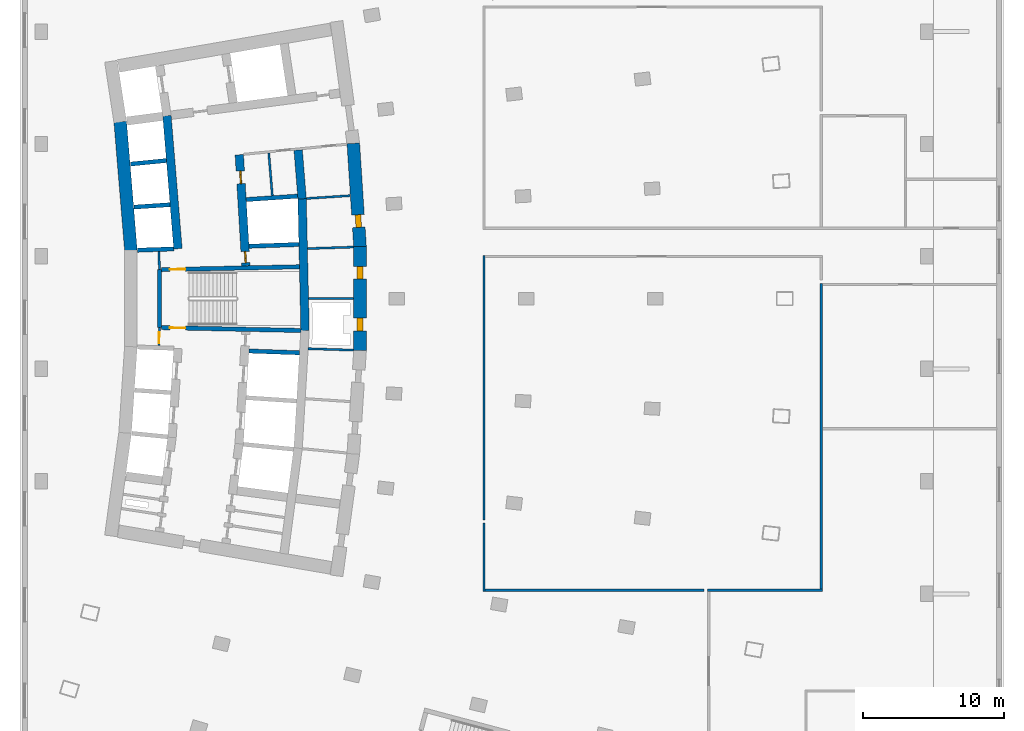
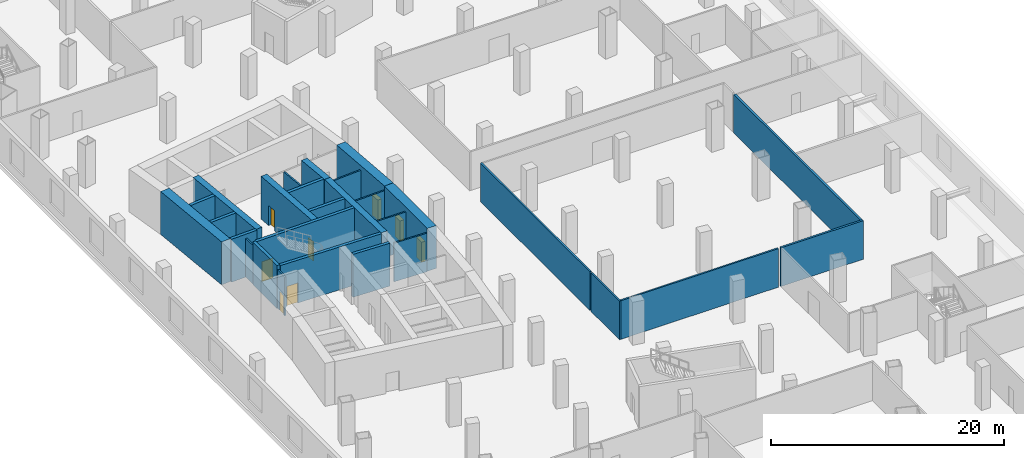
# One storey, part 5 of 16: 28 walls, 8 doors, 8 openings.
"""IFC4 building model written with IfcOpenShell, lengths in metres."""

from ifc_helpers import new_model, si_unit, direction, frame, frame_2d, origin, place, context, subcontext, project, spatial, rectangle, extrude, material, layer, layer_set, type_object, element, fill, save


model = new_model("IFC4")

# Units and contexts
model_context = context("Model", 3, precision=1e-05, world=origin(), true_north=direction((0.0, 1.0)))
body_context = subcontext(model_context, "Body", "Model", "MODEL_VIEW")
ifc_project = project(units=[si_unit("LENGTHUNIT", "METRE"), si_unit("AREAUNIT", "SQUARE_METRE"), si_unit("VOLUMEUNIT", "CUBIC_METRE"), si_unit("PLANEANGLEUNIT", "RADIAN"), si_unit("MASSUNIT", "GRAM", prefix="KILO")], contexts=[model_context])

# Site, building, storey
site_placement = place(None, origin())
site = spatial("IfcSite", under=ifc_project, at=site_placement, CompositionType="ELEMENT")
building_placement = place(site_placement, origin())
building = spatial("IfcBuilding", under=site, at=building_placement, Name="Alderwake Tower", CompositionType="ELEMENT")
storey_placement = place(building_placement, frame((0.0, 0.0, 18.5)))
storey = spatial("IfcBuildingStorey", under=building, at=storey_placement, Name="L03", CompositionType="ELEMENT", Elevation=18.5)

# Wall, opening, door
ifc_material_1 = material(Name="Gypsum shaft wall system, rated")
ifc_layer_1 = layer(ifc_material_1, 0.14990234375)
ifc_layer_set_1 = layer_set([ifc_layer_1], Name="Core room partition 150")
wall_type_1 = type_object("IfcWallType", Name="Core room partition 150", PredefinedType="PARTITIONING", material=ifc_layer_set_1)
wall_1_placement = place(storey_placement, frame((18.918701171875, 58.94384765625, 0.0), z_axis=(0.0, 0.0, 1.0), x_axis=(-0.027348257573, -0.999625966453, 0.0)))
wall_1 = element("IfcWall", 1, at=wall_1_placement, inside=storey, type_object=wall_type_1, Name="CW/L03/PA+24_-37", PredefinedType="PARTITIONING", context=body_context, shape_type="SweptSolid", body=[
    extrude(rectangle(XDim=1.29443359375, YDim=0.14990234375, at=frame_2d((0.647216796875, 0.0))), origin(), (0.0, 0.0, 1.0), 4.050048828125),
])
opening_1_placement = place(wall_1_placement, frame((0.322998046875, 0.0, 0.0)))
opening_1 = element("IfcOpeningElement", 2, at=opening_1_placement, cuts=wall_1, Name="Opening C004", PredefinedType="OPENING", context=body_context, shape_type="SweptSolid", body=[
    extrude(rectangle(XDim=0.800048828125, YDim=2.0, at=frame_2d((0.39990234375, 1.0))), frame((0.0, 0.0849609375, 0.0), z_axis=(0.0, -1.0, 0.0), x_axis=(1.0, 0.0, 0.0)), (0.0, 0.0, 1.0), 0.169921875),
])
ifc_material_2 = material(Name="Painted steel leaf, rated", Category="steel")
door_type_1 = type_object("IfcDoorType", Name="Riser access door 800", OperationType="SINGLE_SWING_LEFT", PredefinedType="DOOR", material=ifc_material_2)
door_1_placement = place(opening_1_placement, origin())
door_1 = element("IfcDoor", 3, at=door_1_placement, inside=storey, type_object=door_type_1, Name="Riser access door", OperationType="SINGLE_SWING_RIGHT", OverallHeight=2.0, OverallWidth=0.800048828125, PredefinedType="DOOR", context=body_context, shape_type="SweptSolid", body=[
    extrude(rectangle(XDim=0.800048828125, YDim=2.0, at=frame_2d((0.39990234375, 1.0))), frame((0.0, 0.02490234375, 0.0), z_axis=(0.0, -1.0, 0.0), x_axis=(1.0, 0.0, 0.0)), (0.0, 0.0, 1.0), 0.050048828125),
])
fill(opening_1, door_1)

# Walls
wall_2_placement = place(storey_placement, frame((18.918701171875, 63.05517578125, 0.0), z_axis=(0.0, 0.0, 1.0), x_axis=(-0.027327648352, 0.999626530078, 0.0)))
element("IfcWall", 4, at=wall_2_placement, inside=storey, type_object=wall_type_1, Name="CW/L03/PA+24_+22", PredefinedType="PARTITIONING", context=body_context, shape_type="SweptSolid", body=[
    extrude(rectangle(XDim=1.29541015625, YDim=0.14990234375, at=frame_2d((0.647705078125, 0.0))), origin(), (0.0, 0.0, 1.0), 4.050048828125),
])
wall_3_placement = place(storey_placement, frame((26.94970703125, 68.3203125, 0.0), z_axis=(0.0, 0.0, 1.0), x_axis=(-0.082463525817, 0.996594083321, 0.0)))
element("IfcWall", 5, at=wall_3_placement, inside=storey, type_object=wall_type_1, Name="CW/L03/PA+107_+70", PredefinedType="PARTITIONING", context=body_context, shape_type="SweptSolid", body=[
    extrude(rectangle(XDim=3.055419921875, YDim=0.14990234375, at=frame_2d((1.52783203125, 0.0))), origin(), (0.0, 0.0, 1.0), 4.050048828125),
])
wall_4_placement = place(storey_placement, frame((29.50048828125, 57.4384765625, 0.0), z_axis=(0.0, 0.0, 1.0), x_axis=(0.999470508275, -0.032537717924, 0.0)))
element("IfcWall", 6, at=wall_4_placement, inside=storey, type_object=wall_type_1, Name="CW/L03/PR-34_+128", PredefinedType="PARTITIONING", context=body_context, shape_type="SweptSolid", body=[
    extrude(rectangle(XDim=3.21142578125, YDim=0.14990234375, at=frame_2d((1.605712890625, 0.0))), origin(), (0.0, 0.0, 1.0), 4.050048828125),
])
wall_5_placement = place(storey_placement, frame((29.526123046875, 61.0, 0.0), z_axis=(0.0, 0.0, 1.0), x_axis=(1.0, 0.0, 0.0)))
element("IfcWall", 7, at=wall_5_placement, inside=storey, type_object=wall_type_1, Name="CW/L03/PR+0_+128", PredefinedType="PARTITIONING", context=body_context, shape_type="SweptSolid", body=[
    extrude(rectangle(XDim=3.18408203125, YDim=0.14990234375, at=frame_2d((1.592041015625, 0.0))), origin(), (0.0, 0.0, 1.0), 4.050048828125),
])
wall_6_placement = place(storey_placement, frame((29.447509765625, 64.559814453125, 0.0), z_axis=(0.0, 0.0, 1.0), x_axis=(0.999470664956, 0.032532904763, 0.0)))
element("IfcWall", 8, at=wall_6_placement, inside=storey, type_object=wall_type_1, Name="CW/L03/PR+34_+128", PredefinedType="PARTITIONING", context=body_context, shape_type="SweptSolid", body=[
    extrude(rectangle(XDim=3.264404296875, YDim=0.14990234375, at=frame_2d((1.63232421875, 0.0))), origin(), (0.0, 0.0, 1.0), 4.050048828125),
])
wall_7_placement = place(storey_placement, frame((29.36865234375, 68.1220703125, 0.0), z_axis=(0.0, 0.0, 1.0), x_axis=(0.997885090452, 0.065002663433, 0.0)))
element("IfcWall", 9, at=wall_7_placement, inside=storey, type_object=wall_type_1, Name="CW/L03/PR+68_+128", PredefinedType="PARTITIONING", context=body_context, shape_type="SweptSolid", body=[
    extrude(rectangle(XDim=3.10986328125, YDim=0.14990234375, at=frame_2d((1.554931640625, 0.0))), origin(), (0.0, 0.0, 1.0), 4.050048828125),
])
ifc_material_3 = material(Name="Concrete C70/85", Category="concrete")
ifc_layer_2 = layer(ifc_material_3, 0.89990234375)
ifc_layer_set_2 = layer_set([ifc_layer_2], Name="Core wall outer 900 C70-85")
wall_type_2 = type_object("IfcWallType", Name="Core wall outer 900 C70-85", PredefinedType="SHEAR", material=ifc_layer_set_2)
wall_8_placement = place(storey_placement, frame((16.890869140625, 64.41064453125, 0.0), z_axis=(0.0, 0.0, 1.0), x_axis=(-0.082624275373, 0.996580768989, 0.0)))
element("IfcWall", 10, at=wall_8_placement, inside=storey, type_object=wall_type_2, Name="Core wall CW.040", PredefinedType="SHEAR", context=body_context, shape_type="SweptSolid", body=[
    extrude(rectangle(XDim=9.210205078125, YDim=0.89990234375, at=frame_2d((4.60498046875, 0.0))), origin(), (0.0, 0.0, 1.0), 4.5),
])

# Wall, openings, doors
wall_9_placement = place(storey_placement, frame((33.190185546875, 64.69677734375, 0.0), z_axis=(0.0, 0.0, 1.0), x_axis=(0.0, -1.0, 0.0)))
wall_9 = element("IfcWall", 11, at=wall_9_placement, inside=storey, type_object=wall_type_2, Name="Core wall CW.013", PredefinedType="SHEAR", context=body_context, shape_type="SweptSolid", body=[
    extrude(rectangle(XDim=7.3935546875, YDim=0.89990234375, at=frame_2d((3.69677734375, 0.0))), origin(), (0.0, 0.0, 1.0), 4.5),
])
opening_2_placement = place(wall_9_placement, frame((5.087646484375, 0.0, 0.0)))
opening_2 = element("IfcOpeningElement", 12, at=opening_2_placement, cuts=wall_9, Name="Opening C031", PredefinedType="OPENING", context=body_context, shape_type="SweptSolid", body=[
    extrude(rectangle(XDim=0.89990234375, YDim=2.10009765625, at=frame_2d((0.449951171875, 1.050048828125))), frame((0.0, 0.4599609375, 0.0), z_axis=(0.0, -1.0, 0.0), x_axis=(1.0, 0.0, 0.0)), (0.0, 0.0, 1.0), 0.919921875),
])
opening_3_placement = place(wall_9_placement, frame((1.405517578125, 0.0, 0.0)))
opening_3 = element("IfcOpeningElement", 13, at=opening_3_placement, cuts=wall_9, Name="Opening C034", PredefinedType="OPENING", context=body_context, shape_type="SweptSolid", body=[
    extrude(rectangle(XDim=0.89990234375, YDim=2.10009765625, at=frame_2d((0.449951171875, 1.050048828125))), frame((0.0, 0.4599609375, 0.0), z_axis=(0.0, -1.0, 0.0), x_axis=(1.0, 0.0, 0.0)), (0.0, 0.0, 1.0), 0.919921875),
])
ifc_material_4 = material(Name="Painted steel leaf", Category="steel")
door_type_2 = type_object("IfcDoorType", Name="Core room door 900", OperationType="SINGLE_SWING_LEFT", PredefinedType="DOOR", material=ifc_material_4)
door_2_placement = place(opening_2_placement, origin())
door_2 = element("IfcDoor", 14, at=door_2_placement, inside=storey, type_object=door_type_2, Name="Room door", OperationType="SINGLE_SWING_RIGHT", OverallHeight=2.10009765625, OverallWidth=0.89990234375, PredefinedType="DOOR", context=body_context, shape_type="SweptSolid", body=[
    extrude(rectangle(XDim=0.89990234375, YDim=2.10009765625, at=frame_2d((0.449951171875, 1.050048828125))), frame((0.0, 0.199951171875, 0.0), z_axis=(0.0, -1.0, 0.0), x_axis=(1.0, 0.0, 0.0)), (0.0, 0.0, 1.0), 0.39990234375),
])
fill(opening_2, door_2)
door_3_placement = place(opening_3_placement, origin())
door_3 = element("IfcDoor", 15, at=door_3_placement, inside=storey, type_object=door_type_2, Name="Room door", OperationType="SINGLE_SWING_LEFT", OverallHeight=2.10009765625, OverallWidth=0.89990234375, PredefinedType="DOOR", context=body_context, shape_type="SweptSolid", body=[
    extrude(rectangle(XDim=0.89990234375, YDim=2.10009765625, at=frame_2d((0.449951171875, 1.050048828125))), frame((0.0, 0.199951171875, 0.0), z_axis=(0.0, -1.0, 0.0), x_axis=(1.0, 0.0, 0.0)), (0.0, 0.0, 1.0), 0.39990234375),
])
fill(opening_3, door_3)

# Wall, opening, door
wall_10_placement = place(storey_placement, frame((32.710693359375, 72.04541015625, 0.0), z_axis=(0.0, 0.0, 1.0), x_axis=(0.064976219143, -0.997886812693, 0.0)))
wall_10 = element("IfcWall", 16, at=wall_10_placement, inside=storey, type_object=wall_type_2, Name="Core wall CW.010", PredefinedType="SHEAR", context=body_context, shape_type="SweptSolid", body=[
    extrude(rectangle(XDim=7.39453125, YDim=0.89990234375, at=frame_2d((3.697265625, 0.0))), origin(), (0.0, 0.0, 1.0), 4.5),
])
opening_4_placement = place(wall_10_placement, frame((5.089111328125, 0.0, 0.0)))
opening_4 = element("IfcOpeningElement", 17, at=opening_4_placement, cuts=wall_10, Name="Opening C035", PredefinedType="OPENING", context=body_context, shape_type="SweptSolid", body=[
    extrude(rectangle(XDim=0.89990234375, YDim=2.10009765625, at=frame_2d((0.449951171875, 1.050048828125))), frame((0.0, 0.4599609375, 0.0), z_axis=(0.0, -1.0, 0.0), x_axis=(1.0, 0.0, 0.0)), (0.0, 0.0, 1.0), 0.919921875),
])
door_4_placement = place(opening_4_placement, origin())
door_4 = element("IfcDoor", 18, at=door_4_placement, inside=storey, type_object=door_type_2, Name="Room door", OperationType="SINGLE_SWING_RIGHT", OverallHeight=2.10009765625, OverallWidth=0.89990234375, PredefinedType="DOOR", context=body_context, shape_type="SweptSolid", body=[
    extrude(rectangle(XDim=0.89990234375, YDim=2.10009765625, at=frame_2d((0.449951171875, 1.050048828125))), frame((0.0, 0.199951171875, 0.0), z_axis=(0.0, -1.0, 0.0), x_axis=(1.0, 0.0, 0.0)), (0.0, 0.0, 1.0), 0.39990234375),
])
fill(opening_4, door_4)

# Walls
ifc_material_5 = material(Name="Concrete C70/85", Category="concrete")
ifc_layer_3 = layer(ifc_material_5, 0.300048828125)
ifc_layer_set_3 = layer_set([ifc_layer_3], Name="Core wall shaft 300 C70-85")
wall_type_3 = type_object("IfcWallType", Name="Core wall shaft 300 C70-85", PredefinedType="SHEAR", material=ifc_layer_set_3)
wall_11_placement = place(storey_placement, frame((25.29052734375, 57.27294921875, 0.0), z_axis=(0.0, 0.0, 1.0), x_axis=(0.99937585491, -0.035325636908, 0.0)))
element("IfcWall", 19, at=wall_11_placement, inside=storey, type_object=wall_type_3, Name="Core wall CW.077", PredefinedType="SHEAR", context=body_context, shape_type="SweptSolid", body=[
    extrude(rectangle(XDim=3.59375, YDim=0.300048828125, at=frame_2d((1.796875, 0.0))), origin(), (0.0, 0.0, 1.0), 4.5),
])
wall_12_placement = place(storey_placement, frame((17.369384765625, 64.446533203125, 0.0), z_axis=(0.0, 0.0, 1.0), x_axis=(0.999371660382, 0.035444102817, 0.0)))
element("IfcWall", 20, at=wall_12_placement, inside=storey, type_object=wall_type_3, Name="Core wall CW.059", PredefinedType="SHEAR", context=body_context, shape_type="SweptSolid", body=[
    extrude(rectangle(XDim=2.5693359375, YDim=0.300048828125, at=frame_2d((1.28466796875, 0.0))), origin(), (0.0, 0.0, 1.0), 4.5),
])
wall_13_placement = place(storey_placement, frame((25.291259765625, 64.72705078125, 0.0), z_axis=(0.0, 0.0, 1.0), x_axis=(0.999373231824, 0.035399767136, 0.0)))
element("IfcWall", 21, at=wall_13_placement, inside=storey, type_object=wall_type_3, Name="Core wall CW.060", PredefinedType="SHEAR", context=body_context, shape_type="SweptSolid", body=[
    extrude(rectangle(XDim=3.5517578125, YDim=0.300048828125, at=frame_2d((1.77587890625, 0.0))), origin(), (0.0, 0.0, 1.0), 4.5),
])
wall_14_placement = place(storey_placement, frame((17.115478515625, 67.510498046875, 0.0), z_axis=(0.0, 0.0, 1.0), x_axis=(0.99775517309, 0.06696726493, 0.0)))
element("IfcWall", 22, at=wall_14_placement, inside=storey, type_object=wall_type_3, Name="Core wall CW.062", PredefinedType="SHEAR", context=body_context, shape_type="SweptSolid", body=[
    extrude(rectangle(XDim=2.566650390625, YDim=0.300048828125, at=frame_2d((1.283203125, 0.0))), origin(), (0.0, 0.0, 1.0), 4.5),
])
wall_15_placement = place(storey_placement, frame((25.09228515625, 68.04541015625, 0.0), z_axis=(0.0, 0.0, 1.0), x_axis=(0.997760946222, 0.066881194621, 0.0)))
element("IfcWall", 23, at=wall_15_placement, inside=storey, type_object=wall_type_3, Name="Core wall CW.063", PredefinedType="SHEAR", context=body_context, shape_type="SweptSolid", body=[
    extrude(rectangle(XDim=3.668701171875, YDim=0.300048828125, at=frame_2d((1.83447265625, 0.0))), origin(), (0.0, 0.0, 1.0), 4.5),
])
wall_16_placement = place(storey_placement, frame((16.86181640625, 70.571533203125, 0.0), z_axis=(0.0, 0.0, 1.0), x_axis=(0.995151424955, 0.098354671516, 0.0)))
element("IfcWall", 24, at=wall_16_placement, inside=storey, type_object=wall_type_3, Name="Core wall CW.050", PredefinedType="SHEAR", context=body_context, shape_type="SweptSolid", body=[
    extrude(rectangle(XDim=2.566650390625, YDim=0.300048828125, at=frame_2d((1.283203125, 0.0))), origin(), (0.0, 0.0, 1.0), 4.5),
])
ifc_material_6 = material(Name="Concrete C70/85", Category="concrete")
ifc_layer_4 = layer(ifc_material_6, 0.60009765625)
ifc_layer_set_4 = layer_set([ifc_layer_4], Name="Core wall spine 600 C70-85")
wall_type_4 = type_object("IfcWallType", Name="Core wall spine 600 C70-85", PredefinedType="SHEAR", material=ifc_layer_set_4)
wall_17_placement = place(storey_placement, frame((20.2373046875, 64.548095703125, 0.0), z_axis=(0.0, 0.0, 1.0), x_axis=(-0.082626598613, 0.996580576372, 0.0)))
element("IfcWall", 25, at=wall_17_placement, inside=storey, type_object=wall_type_4, Name="Core wall CW.031", PredefinedType="SHEAR", context=body_context, shape_type="SweptSolid", body=[
    extrude(rectangle(XDim=9.50244140625, YDim=0.60009765625, at=frame_2d((4.751220703125, 0.0))), origin(), (0.0, 0.0, 1.0), 4.5),
])

# Wall, openings, doors
wall_18_placement = place(storey_placement, frame((25.073974609375, 63.335693359375, 0.0), z_axis=(0.0, 0.0, 1.0), x_axis=(-0.059848641072, 0.998207463487, 0.0)))
wall_18 = element("IfcWall", 26, at=wall_18_placement, inside=storey, type_object=wall_type_4, Name="Core wall CW.045", PredefinedType="SHEAR", context=body_context, shape_type="SweptSolid", body=[
    extrude(rectangle(XDim=7.913818359375, YDim=0.60009765625, at=frame_2d((3.95703125, 0.0))), origin(), (0.0, 0.0, 1.0), 4.5),
])
opening_5_placement = place(wall_18_placement, frame((0.216064453125, 0.0, 0.0)))
opening_5 = element("IfcOpeningElement", 27, at=opening_5_placement, cuts=wall_18, Name="Opening C005", PredefinedType="OPENING", context=body_context, shape_type="SweptSolid", body=[
    extrude(rectangle(XDim=0.800048828125, YDim=2.0, at=frame_2d((0.39990234375, 1.0))), frame((0.0, 0.31005859375, 0.0), z_axis=(0.0, -1.0, 0.0), x_axis=(1.0, 0.0, 0.0)), (0.0, 0.0, 1.0), 0.6201171875),
])
opening_6_placement = place(wall_18_placement, frame((5.856201171875, 0.0, 0.0)))
opening_6 = element("IfcOpeningElement", 28, at=opening_6_placement, cuts=wall_18, Name="Opening C024", PredefinedType="OPENING", context=body_context, shape_type="SweptSolid", body=[
    extrude(rectangle(XDim=0.89990234375, YDim=2.10009765625, at=frame_2d((0.449951171875, 1.050048828125))), frame((0.0, 0.31005859375, 0.0), z_axis=(0.0, -1.0, 0.0), x_axis=(1.0, 0.0, 0.0)), (0.0, 0.0, 1.0), 0.6201171875),
])
door_5_placement = place(opening_6_placement, origin())
door_5 = element("IfcDoor", 29, at=door_5_placement, inside=storey, type_object=door_type_2, Name="Room door", OperationType="SINGLE_SWING_LEFT", OverallHeight=2.10009765625, OverallWidth=0.89990234375, PredefinedType="DOOR", context=body_context, shape_type="SweptSolid", body=[
    extrude(rectangle(XDim=0.89990234375, YDim=2.10009765625, at=frame_2d((0.449951171875, 1.050048828125))), frame((0.0, 0.050048828125, 0.0), z_axis=(0.0, -1.0, 0.0), x_axis=(1.0, 0.0, 0.0)), (0.0, 0.0, 1.0), 0.10009765625),
])
fill(opening_6, door_5)
door_6_placement = place(opening_5_placement, origin())
door_6 = element("IfcDoor", 30, at=door_6_placement, inside=storey, type_object=door_type_1, Name="Riser access door", OperationType="SINGLE_SWING_LEFT", OverallHeight=2.0, OverallWidth=0.800048828125, PredefinedType="DOOR", context=body_context, shape_type="SweptSolid", body=[
    extrude(rectangle(XDim=0.800048828125, YDim=2.0, at=frame_2d((0.39990234375, 1.0))), frame((0.0, 0.050048828125, 0.0), z_axis=(0.0, -1.0, 0.0), x_axis=(1.0, 0.0, 0.0)), (0.0, 0.0, 1.0), 0.10009765625),
])
fill(opening_5, door_6)

# Walls
wall_19_placement = place(storey_placement, frame((29.276611328125, 58.714111328125, 0.0), z_axis=(0.0, 0.0, 1.0), x_axis=(-0.022102514973, 0.999755709577, 0.0)))
element("IfcWall", 31, at=wall_19_placement, inside=storey, type_object=wall_type_4, Name="Core wall CW.007", PredefinedType="SHEAR", context=body_context, shape_type="SweptSolid", body=[
    extrude(rectangle(XDim=9.39990234375, YDim=0.60009765625, at=frame_2d((4.699951171875, 0.0))), origin(), (0.0, 0.0, 1.0), 4.5),
])
wall_20_placement = place(storey_placement, frame((29.069580078125, 68.09326171875, 0.0), z_axis=(0.0, 0.0, 1.0), x_axis=(-0.080849700234, 0.996726304445, 0.0)))
element("IfcWall", 32, at=wall_20_placement, inside=storey, type_object=wall_type_4, Name="Core wall CW.003", PredefinedType="SHEAR", context=body_context, shape_type="SweptSolid", body=[
    extrude(rectangle(XDim=3.48779296875, YDim=0.60009765625, at=frame_2d((1.743896484375, 0.0))), origin(), (0.0, 0.0, 1.0), 4.5),
])
ifc_material_7 = material(Name="Concrete C70/85", Category="concrete")
ifc_layer_5 = layer(ifc_material_7, 0.300048828125)
ifc_layer_set_5 = layer_set([ifc_layer_5], Name="Core wall stair enclosure 300 C70-85")
wall_type_5 = type_object("IfcWallType", Name="Core wall stair enclosure 300 C70-85", PredefinedType="SHEAR", material=ifc_layer_set_5)
wall_21_placement = place(storey_placement, frame((18.918701171875, 58.94091796875, 0.0), z_axis=(0.0, 0.0, 1.0), x_axis=(0.0, 1.0, 0.0)))
element("IfcWall", 33, at=wall_21_placement, inside=storey, type_object=wall_type_5, Name="Core wall CW.024", PredefinedType="SHEAR", context=body_context, shape_type="SweptSolid", body=[
    extrude(rectangle(XDim=4.119384765625, YDim=0.300048828125, at=frame_2d((2.0595703125, 0.0))), origin(), (0.0, 0.0, 1.0), 4.5),
])

# Wall, opening, door
wall_22_placement = place(storey_placement, frame((28.976318359375, 58.733154296875, 0.0), z_axis=(0.0, 0.0, 1.0), x_axis=(-0.999783804252, 0.020792901552, 0.0)))
wall_22 = element("IfcWall", 34, at=wall_22_placement, inside=storey, type_object=wall_type_5, Name="Core wall CW.074", PredefinedType="SHEAR", context=body_context, shape_type="SweptSolid", body=[
    extrude(rectangle(XDim=9.909912109375, YDim=0.300048828125, at=frame_2d((4.955078125, 0.0))), origin(), (0.0, 0.0, 1.0), 4.5),
])
opening_7_placement = place(wall_22_placement, frame((8.209716796875, 0.0, 0.0)))
opening_7 = element("IfcOpeningElement", 35, at=opening_7_placement, cuts=wall_22, Name="Opening C063", PredefinedType="OPENING", context=body_context, shape_type="SweptSolid", body=[
    extrude(rectangle(XDim=1.10009765625, YDim=2.10009765625, at=frame_2d((0.550048828125, 1.050048828125))), frame((0.0, 0.159912109375, 0.0), z_axis=(0.0, -1.0, 0.0), x_axis=(1.0, 0.0, 0.0)), (0.0, 0.0, 1.0), 0.320068359375),
])
ifc_material_8 = material(Name="Steel-framed fire door leaf", Category="steel")
door_type_3 = type_object("IfcDoorType", Name="Core stair door 1100 fire-rated", OperationType="SINGLE_SWING_LEFT", PredefinedType="DOOR", material=ifc_material_8)
door_7_placement = place(opening_7_placement, origin())
door_7 = element("IfcDoor", 36, at=door_7_placement, inside=storey, type_object=door_type_3, Name="Stair door", OperationType="SINGLE_SWING_LEFT", OverallHeight=2.10009765625, OverallWidth=1.10009765625, PredefinedType="DOOR", context=body_context, shape_type="SweptSolid", body=[
    extrude(rectangle(XDim=1.10009765625, YDim=2.10009765625, at=frame_2d((0.550048828125, 1.050048828125))), frame((0.0, 0.02490234375, 0.0), z_axis=(0.0, -1.0, 0.0), x_axis=(1.0, 0.0, 0.0)), (0.0, 0.0, 1.0), 0.050048828125),
])
fill(opening_7, door_7)

wall_23_placement = place(storey_placement, frame((19.068603515625, 63.060791015625, 0.0), z_axis=(0.0, 0.0, 1.0), x_axis=(0.999783520771, 0.020806527678, 0.0)))
wall_23 = element("IfcWall", 37, at=wall_23_placement, inside=storey, type_object=wall_type_5, Name="Core wall CW.057", PredefinedType="SHEAR", context=body_context, shape_type="SweptSolid", body=[
    extrude(rectangle(XDim=9.8095703125, YDim=0.300048828125, at=frame_2d((4.90478515625, 0.0))), origin(), (0.0, 0.0, 1.0), 4.5),
])
opening_8_placement = place(wall_23_placement, frame((0.60009765625, 0.0, 0.0)))
opening_8 = element("IfcOpeningElement", 38, at=opening_8_placement, cuts=wall_23, Name="Opening C064", PredefinedType="OPENING", context=body_context, shape_type="SweptSolid", body=[
    extrude(rectangle(XDim=1.10009765625, YDim=2.10009765625, at=frame_2d((0.550048828125, 1.050048828125))), frame((0.0, 0.159912109375, 0.0), z_axis=(0.0, -1.0, 0.0), x_axis=(1.0, 0.0, 0.0)), (0.0, 0.0, 1.0), 0.320068359375),
])
door_8_placement = place(opening_8_placement, origin())
door_8 = element("IfcDoor", 39, at=door_8_placement, inside=storey, type_object=door_type_3, Name="Stair door", OperationType="SINGLE_SWING_RIGHT", OverallHeight=2.10009765625, OverallWidth=1.10009765625, PredefinedType="DOOR", context=body_context, shape_type="SweptSolid", body=[
    extrude(rectangle(XDim=1.10009765625, YDim=2.10009765625, at=frame_2d((0.550048828125, 1.050048828125))), frame((0.0, 0.02490234375, 0.0), z_axis=(0.0, -1.0, 0.0), x_axis=(1.0, 0.0, 0.0)), (0.0, 0.0, 1.0), 0.050048828125),
])
fill(opening_8, door_8)

# Walls
ifc_material_9 = material(Name="Gypsum board on metal studs, rated")
ifc_layer_6 = layer(ifc_material_9, 0.159912109375)
ifc_layer_set_6 = layer_set([ifc_layer_6], Name="Corridor wall 160")
wall_type_6 = type_object("IfcWallType", Name="Corridor wall 160", PredefinedType="PARTITIONING", material=ifc_layer_set_6)
wall_24_placement = place(storey_placement, frame((42.0, 40.1708984375, 0.0), z_axis=(0.0, 0.0, 1.0), x_axis=(0.0, 1.0, 0.0)))
element("IfcWall", 40, at=wall_24_placement, inside=storey, type_object=wall_type_6, Name="WL/L03/W35", PredefinedType="PARTITIONING", context=body_context, shape_type="SweptSolid", body=[
    extrude(rectangle(XDim=4.873046875, YDim=0.159912109375, at=frame_2d((2.4365234375, 0.0))), origin(), (0.0, 0.0, 1.0), 4.050048828125),
])
wall_25_placement = place(storey_placement, frame((42.0, 45.251708984375, 0.0), z_axis=(0.0, 0.0, 1.0), x_axis=(0.0, 1.0, 0.0)))
element("IfcWall", 41, at=wall_25_placement, inside=storey, type_object=wall_type_6, Name="WL/L03/W36", PredefinedType="PARTITIONING", context=body_context, shape_type="SweptSolid", body=[
    extrude(rectangle(XDim=18.827392578125, YDim=0.159912109375, at=frame_2d((9.41357421875, 0.0))), origin(), (0.0, 0.0, 1.0), 4.050048828125),
])
wall_26_placement = place(storey_placement, frame((57.665771484375, 40.2509765625, 0.0), z_axis=(0.0, 0.0, 1.0), x_axis=(-1.0, 0.0, 0.0)))
element("IfcWall", 42, at=wall_26_placement, inside=storey, type_object=wall_type_6, Name="WL/L03/W42", PredefinedType="PARTITIONING", context=body_context, shape_type="SweptSolid", body=[
    extrude(rectangle(XDim=15.585693359375, YDim=0.159912109375, at=frame_2d((7.79296875, 0.0))), origin(), (0.0, 0.0, 1.0), 4.050048828125),
])
ifc_material_10 = material(Name="Dense block masonry wall", Category="masonry")
ifc_layer_7 = layer(ifc_material_10, 0.199951171875)
ifc_layer_set_7 = layer_set([ifc_layer_7], Name="Party wall 200")
wall_type_7 = type_object("IfcWallType", Name="Party wall 200", PredefinedType="SOLIDWALL", material=ifc_layer_set_7)
wall_27_placement = place(storey_placement, frame((57.9189453125, 40.2509765625, 0.0), z_axis=(0.0, 0.0, 1.0), x_axis=(1.0, 0.0, 0.0)))
element("IfcWall", 43, at=wall_27_placement, inside=storey, type_object=wall_type_7, Name="WL/L03/W05", PredefinedType="SOLIDWALL", context=body_context, shape_type="SweptSolid", body=[
    extrude(rectangle(XDim=8.18115234375, YDim=0.199951171875, at=frame_2d((4.090576171875, 0.0))), origin(), (0.0, 0.0, 1.0), 4.050048828125),
])
wall_28_placement = place(storey_placement, frame((66.0, 40.35107421875, 0.0), z_axis=(0.0, 0.0, 1.0), x_axis=(0.0, 1.0, 0.0)))
element("IfcWall", 44, at=wall_28_placement, inside=storey, type_object=wall_type_7, Name="WL/L03/W06", PredefinedType="SOLIDWALL", context=body_context, shape_type="SweptSolid", body=[
    extrude(rectangle(XDim=21.72998046875, YDim=0.199951171875, at=frame_2d((10.864990234375, 0.0))), origin(), (0.0, 0.0, 1.0), 4.050048828125),
])

save(model, "model.ifc")
